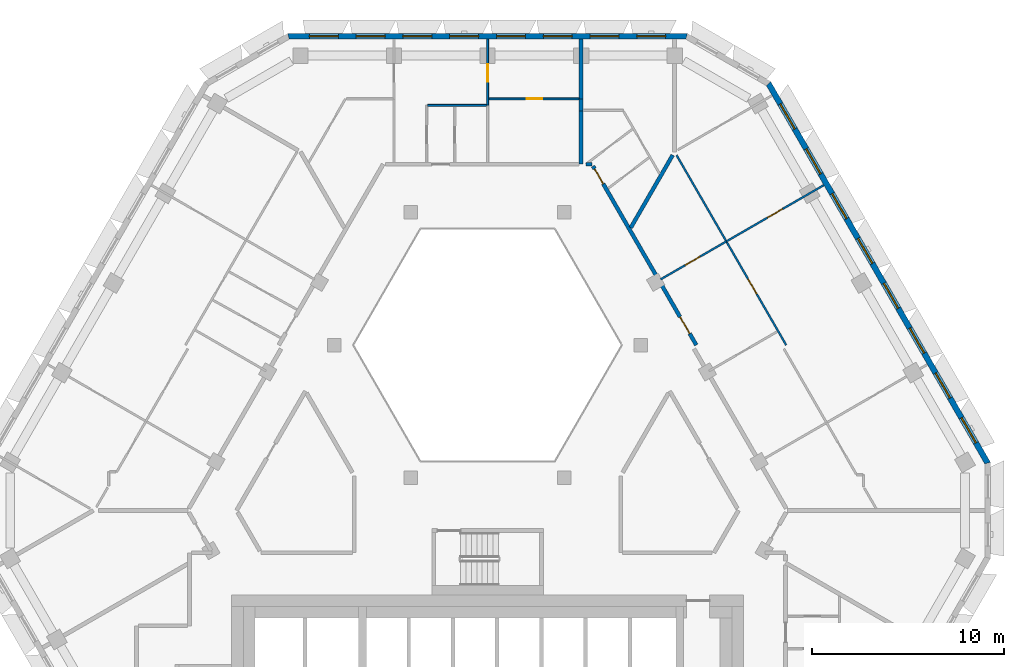
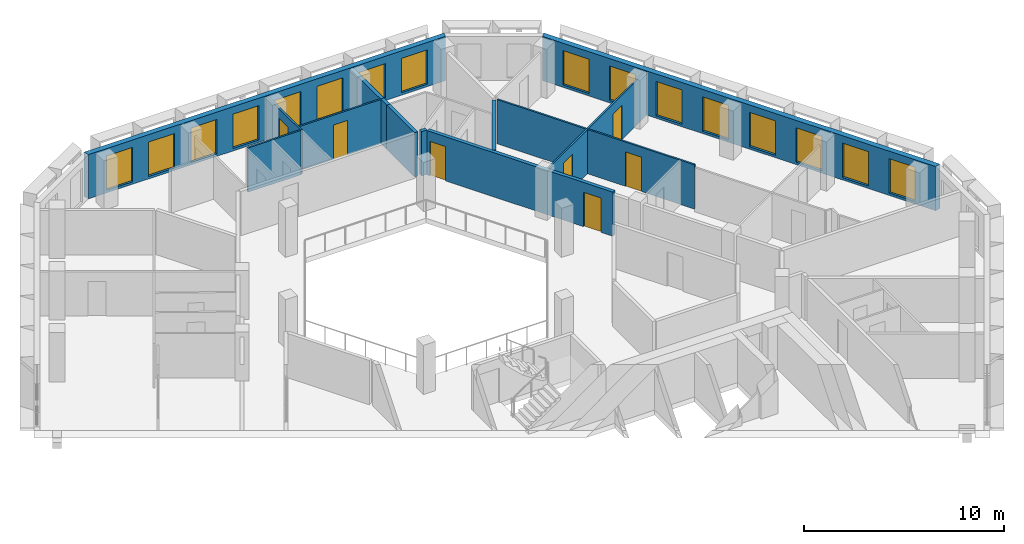
# One storey, part 8 of 17: 16 windows, 14 walls, 7 doors, 23 openings.
"""IFC4 building model written with IfcOpenShell, lengths in metres."""

import ifcopenshell
import ifcopenshell.guid

model = None  # the IFC model being written
_history = None  # IfcOwnerHistory: only IFC2X3 demands one
_inside = {}  # id of a spatial element -> (the spatial element, [elements in it])
_under = {}  # id of a project, library or spatial element -> (it, [spatial elements below it])
_declared = {}  # id of a project -> (the project, [libraries it declares])
_typed = {}  # id of a type object -> (the type object, [elements of that type])
_made_of = {}  # id of a material, layer set ... -> (it, [elements and type objects made of it])


def new_model(schema):
    """Start an empty IFC model of exactly this schema.

    Asked for "IFC4X3", IfcOpenShell would pick the latest addendum, in which some entities
    have other attributes; the version numbers below select the first issue.
    IFC2X3 requires an IfcOwnerHistory on every rooted entity: one is made here for all.
    """
    global model, _history
    if schema == "IFC4X3":
        model = ifcopenshell.file(schema_version=(4, 3, 0, 0))
    else:
        model = ifcopenshell.file(schema=schema)
    _inside.clear()
    _under.clear()
    _declared.clear()
    _typed.clear()
    _made_of.clear()
    _history = None
    if model.schema == "IFC2X3":
        org = make("IfcOrganization", Name="unknown")
        user = make(
            "IfcPersonAndOrganization",
            ThePerson=make("IfcPerson", FamilyName="unknown"),
            TheOrganization=org,
        )
        app = make(
            "IfcApplication",
            ApplicationDeveloper=org,
            Version="unknown",
            ApplicationFullName="unknown",
            ApplicationIdentifier="unknown",
        )
        _history = make(
            "IfcOwnerHistory",
            OwningUser=user,
            OwningApplication=app,
            ChangeAction="ADDED",
            CreationDate=0,
        )
    return model


def make(cls, **values):
    """One entity of the class cls with the attributes given. An attribute that is None is left unset."""
    return model.create_entity(
        cls, **{name: value for name, value in values.items() if value is not None}
    )


def rooted(cls, **values):
    """An entity with a GlobalId (a new one), such as an element, a storey or a relation."""
    return make(cls, GlobalId=ifcopenshell.guid.new(), OwnerHistory=_history, **values)


def si_unit(unit_type, name, prefix=None):
    """IfcSIUnit, for example si_unit("LENGTHUNIT", "METRE", prefix="MILLI")."""
    return make("IfcSIUnit", UnitType=unit_type, Prefix=prefix, Name=name)


def assignment(units):
    """IfcUnitAssignment: the units of a project."""
    return None if units is None else make("IfcUnitAssignment", Units=units)


def point(xyz):
    """IfcCartesianPoint."""
    return None if xyz is None else make("IfcCartesianPoint", Coordinates=xyz)


def direction(xyz):
    """IfcDirection."""
    return None if xyz is None else make("IfcDirection", DirectionRatios=xyz)


def frame(location, z_axis=None, x_axis=None):
    """IfcAxis2Placement3D, a coordinate frame: its origin and axes. An axis left out is left unset."""
    return make(
        "IfcAxis2Placement3D",
        Location=point(location),
        Axis=direction(z_axis),
        RefDirection=direction(x_axis),
    )


def frame_2d(location, x_axis=None):
    """IfcAxis2Placement2D, a coordinate frame in the plane: its origin and x axis."""
    return make(
        "IfcAxis2Placement2D", Location=point(location), RefDirection=direction(x_axis)
    )


def origin():
    """The frame at (0, 0, 0) with its axes left unset."""
    return frame((0.0, 0.0, 0.0))


def place(relative_to, where):
    """IfcLocalPlacement: puts the frame where relative to a parent placement (None: the world)."""
    return make(
        "IfcLocalPlacement", PlacementRelTo=relative_to, RelativePlacement=where
    )


def context(
    kind, dimensions, precision=None, world=None, true_north=None, identifier=None
):
    """IfcGeometricRepresentationContext, for example the 3D "Model" context."""
    return make(
        "IfcGeometricRepresentationContext",
        ContextIdentifier=identifier,
        ContextType=kind,
        CoordinateSpaceDimension=dimensions,
        Precision=precision,
        WorldCoordinateSystem=world,
        TrueNorth=true_north,
    )


def subcontext(parent, identifier, kind, view, scale=None):
    """IfcGeometricRepresentationSubContext, for example "Body" below "Model"."""
    return make(
        "IfcGeometricRepresentationSubContext",
        ContextIdentifier=identifier,
        ContextType=kind,
        ParentContext=parent,
        TargetScale=scale,
        TargetView=view,
    )


def project(units=None, contexts=None):
    """IfcProject with its units and contexts."""
    return rooted(
        "IfcProject",
        Name="project",
        RepresentationContexts=contexts,
        UnitsInContext=assignment(units),
    )


def spatial(cls, under=None, at=None, **own):
    """A site, building, storey or space (cls), placed at a placement, below another one or the project."""
    s = rooted(cls, ObjectPlacement=at, **own)
    if under is not None:
        _under.setdefault(under.id(), (under, []))[1].append(s)
    return s


def polyline(points):
    """IfcPolyline through the points."""
    return make("IfcPolyline", Points=[point(p) for p in points])


def profile(cls, at=None, kind="AREA", **sizes):
    """A parametric profile (cls). Its sizes go by their IFC names, for example OverallWidth=200.0."""
    return make(cls, ProfileType=kind, Position=at, **sizes)


def rectangle(**sizes):
    """IfcRectangleProfileDef."""
    return profile("IfcRectangleProfileDef", **sizes)


def outline(outer, holes=None, kind="AREA"):
    """IfcArbitraryClosedProfileDef: a profile drawn as a closed curve; with holes, ...WithVoids."""
    if holes is None:
        return make("IfcArbitraryClosedProfileDef", ProfileType=kind, OuterCurve=outer)
    return make(
        "IfcArbitraryProfileDefWithVoids",
        ProfileType=kind,
        OuterCurve=outer,
        InnerCurves=holes,
    )


def extrude(swept, where, along, depth):
    """IfcExtrudedAreaSolid: the profile swept, set in the frame where, extruded along a direction by depth."""
    return make(
        "IfcExtrudedAreaSolid",
        SweptArea=swept,
        Position=where,
        ExtrudedDirection=direction(along),
        Depth=depth,
    )


def shape(context_of_items, identifier, shape_type, items):
    """IfcShapeRepresentation: the items that make up one representation, for example the "Body"."""
    return make(
        "IfcShapeRepresentation",
        ContextOfItems=context_of_items,
        RepresentationIdentifier=identifier,
        RepresentationType=shape_type,
        Items=items,
    )


def material(Name=None, Category=None):
    """IfcMaterial."""
    return make("IfcMaterial", Name=Name, Category=Category)


def layer(
    of_material, thickness, ventilated=None, Name=None, Category=None, Priority=None
):
    """IfcMaterialLayer: one layer of a wall or slab, of a material (None: an air gap)."""
    return make(
        "IfcMaterialLayer",
        Material=of_material,
        LayerThickness=thickness,
        IsVentilated=ventilated,
        Name=Name,
        Category=Category,
        Priority=Priority,
    )


def layer_set(layers, Name=None):
    """IfcMaterialLayerSet."""
    return make("IfcMaterialLayerSet", MaterialLayers=layers, LayerSetName=Name)


def made_of(thing, what):
    """Note that an element or type object is made of a material, layer set ...; save() writes the relation."""
    if what is not None:
        _made_of.setdefault(what.id(), (what, []))[1].append(thing)
    return thing


def type_object(cls, material=None, **own):
    """A type object (cls), such as IfcWallType, which elements share."""
    return made_of(rooted(cls, **own), material)


def element(
    cls,
    number,
    at=None,
    inside=None,
    cuts=None,
    type_object=None,
    material=None,
    context=None,
    identifier="Body",
    shape_type=None,
    held_by="IfcProductDefinitionShape",
    body=None,
    shapes=None,
    **own,
):
    """One element of the class cls, such as IfcWall. Its Tag is "e" and its number.

    at: its placement. inside: the storey or other place that contains it. cuts: it is an
    opening in that element (IfcRelVoidsElement). A single representation is given by context,
    identifier, shape_type and body (its items); several are given by shapes. held_by: the class
    of the entity that holds the representations. save() writes the other relations.
    """
    e = rooted(cls, Tag="e%d" % number, ObjectPlacement=at, **own)
    if body is not None:
        shapes = [shape(context, identifier, shape_type, body)]
    if shapes is not None:
        e.Representation = make(held_by, Representations=shapes)
    if inside is not None:
        _inside.setdefault(inside.id(), (inside, []))[1].append(e)
    if cuts is not None:
        rooted(
            "IfcRelVoidsElement", RelatingBuildingElement=cuts, RelatedOpeningElement=e
        )
    if type_object is not None:
        _typed.setdefault(type_object.id(), (type_object, []))[1].append(e)
    return made_of(e, material)


def fill(opening, filler):
    """IfcRelFillsElement: the door or window that sits in an opening."""
    return rooted(
        "IfcRelFillsElement",
        RelatingOpeningElement=opening,
        RelatedBuildingElement=filler,
    )


def aggregate(whole, parts):
    """IfcRelAggregates: a whole, such as a stair, and the parts it consists of."""
    return rooted("IfcRelAggregates", RelatingObject=whole, RelatedObjects=parts)


def save(model, path):
    """Write the relations noted so far, then the file.

    IfcRelAggregates (storeys below a building ...), IfcRelContainedInSpatialStructure (elements
    in a storey), IfcRelDefinesByType, IfcRelAssociatesMaterial and IfcRelDeclares: one each for
    every whole, place, type object, material and project.
    """
    for whole, parts in _under.values():
        aggregate(whole, parts)
    for where, things in _inside.values():
        rooted(
            "IfcRelContainedInSpatialStructure",
            RelatedElements=things,
            RelatingStructure=where,
        )
    for kind, things in _typed.values():
        rooted("IfcRelDefinesByType", RelatedObjects=things, RelatingType=kind)
    for what, things in _made_of.values():
        rooted("IfcRelAssociatesMaterial", RelatedObjects=things, RelatingMaterial=what)
    for by, libraries in _declared.values():
        rooted("IfcRelDeclares", RelatingContext=by, RelatedDefinitions=libraries)
    model.write(path)


model = new_model("IFC4")

# Units and contexts
model_context = context("Model", 3, precision=1e-05, world=origin(), true_north=direction((0.0, 1.0)))
body_context = subcontext(model_context, "Body", "Model", "MODEL_VIEW")
ifc_project = project(units=[si_unit("LENGTHUNIT", "METRE"), si_unit("AREAUNIT", "SQUARE_METRE"), si_unit("VOLUMEUNIT", "CUBIC_METRE"), si_unit("PLANEANGLEUNIT", "RADIAN"), si_unit("MASSUNIT", "GRAM", prefix="KILO")], contexts=[model_context])

# Site, building, storey
site_placement = place(None, origin())
site = spatial("IfcSite", under=ifc_project, at=site_placement, CompositionType="ELEMENT")
building_placement = place(site_placement, origin())
building = spatial("IfcBuilding", under=site, at=building_placement, Name="Beryl Residences", CompositionType="ELEMENT")
storey_placement = place(building_placement, frame((0.0, 0.0, 166.199951171875)))
storey = spatial("IfcBuildingStorey", under=building, at=storey_placement, Name="L50", CompositionType="ELEMENT", Elevation=166.199951171875)

# Wall, openings, windows
ifc_material_1 = material(Name="Composite metal panel with mineral wool insulation")
ifc_layer_1 = layer(ifc_material_1, 0.300048828125)
ifc_layer_set_1 = layer_set([ifc_layer_1], Name="ES1 pale metal composite panel wall 300 mm")
wall_type_1 = type_object("IfcWallType", Name="ES1 pale metal composite panel wall 300 mm", PredefinedType="SOLIDWALL", material=ifc_layer_set_1)
wall_1_placement = place(storey_placement, frame((10.39208984375, 24.050048828125, 0.0), z_axis=(0.0, 0.0, 1.0), x_axis=(-1.0, 0.0, 0.0)))
wall_1 = element("IfcWall", 1, at=wall_1_placement, inside=storey, type_object=wall_type_1, Name="ES1 external wall L50 N", PredefinedType="SOLIDWALL", context=body_context, shape_type="SweptSolid", body=[
    extrude(outline(polyline([(0.0, -0.14990234375), (20.7841796875, -0.14990234375), (20.703857421875, 0.14990234375), (0.080322265625, 0.14990234375), (0.0, -0.14990234375)])), origin(), (0.0, 0.0, 1.0), 2.699951171875),
])
opening_1_placement = place(wall_1_placement, frame((1.1298828125, 0.0, 0.14990234375)))
opening_1 = element("IfcOpeningElement", 2, at=opening_1_placement, cuts=wall_1, Name="Opening W1", PredefinedType="OPENING", context=body_context, shape_type="SweptSolid", body=[
    extrude(rectangle(XDim=1.5, YDim=2.10009765625, at=frame_2d((0.75, 1.050048828125))), frame((0.0, 0.159912109375, 0.0), z_axis=(0.0, -1.0, 0.0), x_axis=(1.0, 0.0, 0.0)), (0.0, 0.0, 1.0), 0.320068359375),
])
opening_2_placement = place(wall_1_placement, frame((3.56201171875, 0.0, 0.14990234375)))
opening_2 = element("IfcOpeningElement", 3, at=opening_2_placement, cuts=wall_1, Name="Opening W1", PredefinedType="OPENING", context=body_context, shape_type="SweptSolid", body=[
    extrude(rectangle(XDim=1.5, YDim=2.10009765625, at=frame_2d((0.75, 1.050048828125))), frame((0.0, 0.159912109375, 0.0), z_axis=(0.0, -1.0, 0.0), x_axis=(1.0, 0.0, 0.0)), (0.0, 0.0, 1.0), 0.320068359375),
])
opening_3_placement = place(wall_1_placement, frame((5.993896484375, 0.0, 0.14990234375)))
opening_3 = element("IfcOpeningElement", 4, at=opening_3_placement, cuts=wall_1, Name="Opening W1", PredefinedType="OPENING", context=body_context, shape_type="SweptSolid", body=[
    extrude(rectangle(XDim=1.5, YDim=2.10009765625, at=frame_2d((0.75, 1.050048828125))), frame((0.0, 0.159912109375, 0.0), z_axis=(0.0, -1.0, 0.0), x_axis=(1.0, 0.0, 0.0)), (0.0, 0.0, 1.0), 0.320068359375),
])
opening_4_placement = place(wall_1_placement, frame((8.426025390625, 0.0, 0.14990234375)))
opening_4 = element("IfcOpeningElement", 5, at=opening_4_placement, cuts=wall_1, Name="Opening W1", PredefinedType="OPENING", context=body_context, shape_type="SweptSolid", body=[
    extrude(rectangle(XDim=1.5, YDim=2.10009765625, at=frame_2d((0.75, 1.050048828125))), frame((0.0, 0.159912109375, 0.0), z_axis=(0.0, -1.0, 0.0), x_axis=(1.0, 0.0, 0.0)), (0.0, 0.0, 1.0), 0.320068359375),
])
opening_5_placement = place(wall_1_placement, frame((10.85791015625, 0.0, 0.14990234375)))
opening_5 = element("IfcOpeningElement", 6, at=opening_5_placement, cuts=wall_1, Name="Opening W1", PredefinedType="OPENING", context=body_context, shape_type="SweptSolid", body=[
    extrude(rectangle(XDim=1.5, YDim=2.10009765625, at=frame_2d((0.75, 1.050048828125))), frame((0.0, 0.159912109375, 0.0), z_axis=(0.0, -1.0, 0.0), x_axis=(1.0, 0.0, 0.0)), (0.0, 0.0, 1.0), 0.320068359375),
])
opening_6_placement = place(wall_1_placement, frame((13.2900390625, 0.0, 0.14990234375)))
opening_6 = element("IfcOpeningElement", 7, at=opening_6_placement, cuts=wall_1, Name="Opening W1", PredefinedType="OPENING", context=body_context, shape_type="SweptSolid", body=[
    extrude(rectangle(XDim=1.5, YDim=2.10009765625, at=frame_2d((0.75, 1.050048828125))), frame((0.0, 0.159912109375, 0.0), z_axis=(0.0, -1.0, 0.0), x_axis=(1.0, 0.0, 0.0)), (0.0, 0.0, 1.0), 0.320068359375),
])
opening_7_placement = place(wall_1_placement, frame((15.721923828125, 0.0, 0.14990234375)))
opening_7 = element("IfcOpeningElement", 8, at=opening_7_placement, cuts=wall_1, Name="Opening W1", PredefinedType="OPENING", context=body_context, shape_type="SweptSolid", body=[
    extrude(rectangle(XDim=1.5, YDim=2.10009765625, at=frame_2d((0.75, 1.050048828125))), frame((0.0, 0.159912109375, 0.0), z_axis=(0.0, -1.0, 0.0), x_axis=(1.0, 0.0, 0.0)), (0.0, 0.0, 1.0), 0.320068359375),
])
opening_8_placement = place(wall_1_placement, frame((18.154052734375, 0.0, 0.14990234375)))
opening_8 = element("IfcOpeningElement", 9, at=opening_8_placement, cuts=wall_1, Name="Opening W1", PredefinedType="OPENING", context=body_context, shape_type="SweptSolid", body=[
    extrude(rectangle(XDim=1.5, YDim=2.10009765625, at=frame_2d((0.75, 1.050048828125))), frame((0.0, 0.159912109375, 0.0), z_axis=(0.0, -1.0, 0.0), x_axis=(1.0, 0.0, 0.0)), (0.0, 0.0, 1.0), 0.320068359375),
])
ifc_material_2 = material(Name="Aluminium and clear glass", Category="aluminium")
window_type = type_object("IfcWindowType", Name="W1 cell window 1500 x 2100 mm", PartitioningType="SINGLE_PANEL", PredefinedType="WINDOW", material=ifc_material_2)
window_1_placement = place(opening_1_placement, origin())
window_1 = element("IfcWindow", 10, at=window_1_placement, inside=storey, type_object=window_type, Name="W1 window L50 N 1", OverallHeight=2.10009765625, OverallWidth=1.5, PartitioningType="SINGLE_PANEL", PredefinedType="WINDOW", context=body_context, shape_type="SweptSolid", body=[
    extrude(rectangle(XDim=1.5, YDim=2.10009765625, at=frame_2d((0.75, 1.050048828125))), frame((0.0, 0.030029296875, 0.0), z_axis=(0.0, -1.0, 0.0), x_axis=(1.0, 0.0, 0.0)), (0.0, 0.0, 1.0), 0.06005859375),
])
fill(opening_1, window_1)
window_2_placement = place(opening_2_placement, origin())
window_2 = element("IfcWindow", 11, at=window_2_placement, inside=storey, type_object=window_type, Name="W1 window L50 N 2", OverallHeight=2.10009765625, OverallWidth=1.5, PartitioningType="SINGLE_PANEL", PredefinedType="WINDOW", context=body_context, shape_type="SweptSolid", body=[
    extrude(rectangle(XDim=1.5, YDim=2.10009765625, at=frame_2d((0.75, 1.050048828125))), frame((0.0, 0.030029296875, 0.0), z_axis=(0.0, -1.0, 0.0), x_axis=(1.0, 0.0, 0.0)), (0.0, 0.0, 1.0), 0.06005859375),
])
fill(opening_2, window_2)
window_3_placement = place(opening_3_placement, origin())
window_3 = element("IfcWindow", 12, at=window_3_placement, inside=storey, type_object=window_type, Name="W1 window L50 N 3", OverallHeight=2.10009765625, OverallWidth=1.5, PartitioningType="SINGLE_PANEL", PredefinedType="WINDOW", context=body_context, shape_type="SweptSolid", body=[
    extrude(rectangle(XDim=1.5, YDim=2.10009765625, at=frame_2d((0.75, 1.050048828125))), frame((0.0, 0.030029296875, 0.0), z_axis=(0.0, -1.0, 0.0), x_axis=(1.0, 0.0, 0.0)), (0.0, 0.0, 1.0), 0.06005859375),
])
fill(opening_3, window_3)
window_4_placement = place(opening_4_placement, origin())
window_4 = element("IfcWindow", 13, at=window_4_placement, inside=storey, type_object=window_type, Name="W1 window L50 N 4", OverallHeight=2.10009765625, OverallWidth=1.5, PartitioningType="SINGLE_PANEL", PredefinedType="WINDOW", context=body_context, shape_type="SweptSolid", body=[
    extrude(rectangle(XDim=1.5, YDim=2.10009765625, at=frame_2d((0.75, 1.050048828125))), frame((0.0, 0.030029296875, 0.0), z_axis=(0.0, -1.0, 0.0), x_axis=(1.0, 0.0, 0.0)), (0.0, 0.0, 1.0), 0.06005859375),
])
fill(opening_4, window_4)
window_5_placement = place(opening_5_placement, origin())
window_5 = element("IfcWindow", 14, at=window_5_placement, inside=storey, type_object=window_type, Name="W1 window L50 N 5", OverallHeight=2.10009765625, OverallWidth=1.5, PartitioningType="SINGLE_PANEL", PredefinedType="WINDOW", context=body_context, shape_type="SweptSolid", body=[
    extrude(rectangle(XDim=1.5, YDim=2.10009765625, at=frame_2d((0.75, 1.050048828125))), frame((0.0, 0.030029296875, 0.0), z_axis=(0.0, -1.0, 0.0), x_axis=(1.0, 0.0, 0.0)), (0.0, 0.0, 1.0), 0.06005859375),
])
fill(opening_5, window_5)
window_6_placement = place(opening_6_placement, origin())
window_6 = element("IfcWindow", 15, at=window_6_placement, inside=storey, type_object=window_type, Name="W1 window L50 N 6", OverallHeight=2.10009765625, OverallWidth=1.5, PartitioningType="SINGLE_PANEL", PredefinedType="WINDOW", context=body_context, shape_type="SweptSolid", body=[
    extrude(rectangle(XDim=1.5, YDim=2.10009765625, at=frame_2d((0.75, 1.050048828125))), frame((0.0, 0.030029296875, 0.0), z_axis=(0.0, -1.0, 0.0), x_axis=(1.0, 0.0, 0.0)), (0.0, 0.0, 1.0), 0.06005859375),
])
fill(opening_6, window_6)
window_7_placement = place(opening_7_placement, origin())
window_7 = element("IfcWindow", 16, at=window_7_placement, inside=storey, type_object=window_type, Name="W1 window L50 N 7", OverallHeight=2.10009765625, OverallWidth=1.5, PartitioningType="SINGLE_PANEL", PredefinedType="WINDOW", context=body_context, shape_type="SweptSolid", body=[
    extrude(rectangle(XDim=1.5, YDim=2.10009765625, at=frame_2d((0.75, 1.050048828125))), frame((0.0, 0.030029296875, 0.0), z_axis=(0.0, -1.0, 0.0), x_axis=(1.0, 0.0, 0.0)), (0.0, 0.0, 1.0), 0.06005859375),
])
fill(opening_7, window_7)
window_8_placement = place(opening_8_placement, origin())
window_8 = element("IfcWindow", 17, at=window_8_placement, inside=storey, type_object=window_type, Name="W1 window L50 N 8", OverallHeight=2.10009765625, OverallWidth=1.5, PartitioningType="SINGLE_PANEL", PredefinedType="WINDOW", context=body_context, shape_type="SweptSolid", body=[
    extrude(rectangle(XDim=1.5, YDim=2.10009765625, at=frame_2d((0.75, 1.050048828125))), frame((0.0, 0.030029296875, 0.0), z_axis=(0.0, -1.0, 0.0), x_axis=(1.0, 0.0, 0.0)), (0.0, 0.0, 1.0), 0.06005859375),
])
fill(opening_8, window_8)

wall_2_placement = place(storey_placement, frame((26.02392578125, 1.824951171875, 0.0), z_axis=(0.0, 0.0, 1.0), x_axis=(-0.500010537973, 0.866019319597, 0.0)))
wall_2 = element("IfcWall", 18, at=wall_2_placement, inside=storey, type_object=wall_type_1, Name="ES1 external wall L50 NE", PredefinedType="SOLIDWALL", context=body_context, shape_type="SweptSolid", body=[
    extrude(outline(polyline([(0.0, -0.14990234375), (22.86328125, -0.14990234375), (22.782958984375, 0.14990234375), (0.080322265625, 0.14990234375), (0.0, -0.14990234375)])), origin(), (0.0, 0.0, 1.0), 2.699951171875),
])
opening_9_placement = place(wall_2_placement, frame((1.259033203125, 0.0, 0.14990234375)))
opening_9 = element("IfcOpeningElement", 19, at=opening_9_placement, cuts=wall_2, Name="Opening W1", PredefinedType="OPENING", context=body_context, shape_type="SweptSolid", body=[
    extrude(rectangle(XDim=1.5, YDim=2.10009765625, at=frame_2d((0.75, 1.050048828125))), frame((0.0, 0.159912109375, 0.0), z_axis=(0.0, -1.0, 0.0), x_axis=(1.0, 0.0, 0.0)), (0.0, 0.0, 1.0), 0.320068359375),
])
opening_10_placement = place(wall_2_placement, frame((3.951904296875, 0.0, 0.14990234375)))
opening_10 = element("IfcOpeningElement", 20, at=opening_10_placement, cuts=wall_2, Name="Opening W1", PredefinedType="OPENING", context=body_context, shape_type="SweptSolid", body=[
    extrude(rectangle(XDim=1.5, YDim=2.10009765625, at=frame_2d((0.75, 1.050048828125))), frame((0.0, 0.159912109375, 0.0), z_axis=(0.0, -1.0, 0.0), x_axis=(1.0, 0.0, 0.0)), (0.0, 0.0, 1.0), 0.320068359375),
])
opening_11_placement = place(wall_2_placement, frame((6.64404296875, 0.0, 0.14990234375)))
opening_11 = element("IfcOpeningElement", 21, at=opening_11_placement, cuts=wall_2, Name="Opening W1", PredefinedType="OPENING", context=body_context, shape_type="SweptSolid", body=[
    extrude(rectangle(XDim=1.5, YDim=2.10009765625, at=frame_2d((0.75, 1.050048828125))), frame((0.0, 0.159912109375, 0.0), z_axis=(0.0, -1.0, 0.0), x_axis=(1.0, 0.0, 0.0)), (0.0, 0.0, 1.0), 0.320068359375),
])
opening_12_placement = place(wall_2_placement, frame((9.3349609375, 0.0, 0.14990234375)))
opening_12 = element("IfcOpeningElement", 22, at=opening_12_placement, cuts=wall_2, Name="Opening W1", PredefinedType="OPENING", context=body_context, shape_type="SweptSolid", body=[
    extrude(rectangle(XDim=1.5, YDim=2.10009765625, at=frame_2d((0.75, 1.050048828125))), frame((0.0, 0.159912109375, 0.0), z_axis=(0.0, -1.0, 0.0), x_axis=(1.0, 0.0, 0.0)), (0.0, 0.0, 1.0), 0.320068359375),
])
opening_13_placement = place(wall_2_placement, frame((12.028076171875, 0.0, 0.14990234375)))
opening_13 = element("IfcOpeningElement", 23, at=opening_13_placement, cuts=wall_2, Name="Opening W1", PredefinedType="OPENING", context=body_context, shape_type="SweptSolid", body=[
    extrude(rectangle(XDim=1.5, YDim=2.10009765625, at=frame_2d((0.75, 1.050048828125))), frame((0.0, 0.159912109375, 0.0), z_axis=(0.0, -1.0, 0.0), x_axis=(1.0, 0.0, 0.0)), (0.0, 0.0, 1.0), 0.320068359375),
])
opening_14_placement = place(wall_2_placement, frame((14.719970703125, 0.0, 0.14990234375)))
opening_14 = element("IfcOpeningElement", 24, at=opening_14_placement, cuts=wall_2, Name="Opening W1", PredefinedType="OPENING", context=body_context, shape_type="SweptSolid", body=[
    extrude(rectangle(XDim=1.5, YDim=2.10009765625, at=frame_2d((0.75, 1.050048828125))), frame((0.0, 0.159912109375, 0.0), z_axis=(0.0, -1.0, 0.0), x_axis=(1.0, 0.0, 0.0)), (0.0, 0.0, 1.0), 0.320068359375),
])
opening_15_placement = place(wall_2_placement, frame((17.410888671875, 0.0, 0.14990234375)))
opening_15 = element("IfcOpeningElement", 25, at=opening_15_placement, cuts=wall_2, Name="Opening W1", PredefinedType="OPENING", context=body_context, shape_type="SweptSolid", body=[
    extrude(rectangle(XDim=1.5, YDim=2.10009765625, at=frame_2d((0.75, 1.050048828125))), frame((0.0, 0.159912109375, 0.0), z_axis=(0.0, -1.0, 0.0), x_axis=(1.0, 0.0, 0.0)), (0.0, 0.0, 1.0), 0.320068359375),
])
opening_16_placement = place(wall_2_placement, frame((20.10400390625, 0.0, 0.14990234375)))
opening_16 = element("IfcOpeningElement", 26, at=opening_16_placement, cuts=wall_2, Name="Opening W1", PredefinedType="OPENING", context=body_context, shape_type="SweptSolid", body=[
    extrude(rectangle(XDim=1.5, YDim=2.10009765625, at=frame_2d((0.75, 1.050048828125))), frame((0.0, 0.159912109375, 0.0), z_axis=(0.0, -1.0, 0.0), x_axis=(1.0, 0.0, 0.0)), (0.0, 0.0, 1.0), 0.320068359375),
])
window_9_placement = place(opening_9_placement, origin())
window_9 = element("IfcWindow", 27, at=window_9_placement, inside=storey, type_object=window_type, Name="W1 window L50 NE 1", OverallHeight=2.10009765625, OverallWidth=1.5, PartitioningType="SINGLE_PANEL", PredefinedType="WINDOW", context=body_context, shape_type="SweptSolid", body=[
    extrude(rectangle(XDim=1.5, YDim=2.10009765625, at=frame_2d((0.75, 1.050048828125))), frame((0.0, 0.030029296875, 0.0), z_axis=(0.0, -1.0, 0.0), x_axis=(1.0, 0.0, 0.0)), (0.0, 0.0, 1.0), 0.06005859375),
])
fill(opening_9, window_9)
window_10_placement = place(opening_10_placement, origin())
window_10 = element("IfcWindow", 28, at=window_10_placement, inside=storey, type_object=window_type, Name="W1 window L50 NE 2", OverallHeight=2.10009765625, OverallWidth=1.5, PartitioningType="SINGLE_PANEL", PredefinedType="WINDOW", context=body_context, shape_type="SweptSolid", body=[
    extrude(rectangle(XDim=1.5, YDim=2.10009765625, at=frame_2d((0.75, 1.050048828125))), frame((0.0, 0.030029296875, 0.0), z_axis=(0.0, -1.0, 0.0), x_axis=(1.0, 0.0, 0.0)), (0.0, 0.0, 1.0), 0.06005859375),
])
fill(opening_10, window_10)
window_11_placement = place(opening_11_placement, origin())
window_11 = element("IfcWindow", 29, at=window_11_placement, inside=storey, type_object=window_type, Name="W1 window L50 NE 3", OverallHeight=2.10009765625, OverallWidth=1.5, PartitioningType="SINGLE_PANEL", PredefinedType="WINDOW", context=body_context, shape_type="SweptSolid", body=[
    extrude(rectangle(XDim=1.5, YDim=2.10009765625, at=frame_2d((0.75, 1.050048828125))), frame((0.0, 0.030029296875, 0.0), z_axis=(0.0, -1.0, 0.0), x_axis=(1.0, 0.0, 0.0)), (0.0, 0.0, 1.0), 0.06005859375),
])
fill(opening_11, window_11)
window_12_placement = place(opening_12_placement, origin())
window_12 = element("IfcWindow", 30, at=window_12_placement, inside=storey, type_object=window_type, Name="W1 window L50 NE 4", OverallHeight=2.10009765625, OverallWidth=1.5, PartitioningType="SINGLE_PANEL", PredefinedType="WINDOW", context=body_context, shape_type="SweptSolid", body=[
    extrude(rectangle(XDim=1.5, YDim=2.10009765625, at=frame_2d((0.75, 1.050048828125))), frame((0.0, 0.030029296875, 0.0), z_axis=(0.0, -1.0, 0.0), x_axis=(1.0, 0.0, 0.0)), (0.0, 0.0, 1.0), 0.06005859375),
])
fill(opening_12, window_12)
window_13_placement = place(opening_13_placement, origin())
window_13 = element("IfcWindow", 31, at=window_13_placement, inside=storey, type_object=window_type, Name="W1 window L50 NE 5", OverallHeight=2.10009765625, OverallWidth=1.5, PartitioningType="SINGLE_PANEL", PredefinedType="WINDOW", context=body_context, shape_type="SweptSolid", body=[
    extrude(rectangle(XDim=1.5, YDim=2.10009765625, at=frame_2d((0.75, 1.050048828125))), frame((0.0, 0.030029296875, 0.0), z_axis=(0.0, -1.0, 0.0), x_axis=(1.0, 0.0, 0.0)), (0.0, 0.0, 1.0), 0.06005859375),
])
fill(opening_13, window_13)
window_14_placement = place(opening_14_placement, origin())
window_14 = element("IfcWindow", 32, at=window_14_placement, inside=storey, type_object=window_type, Name="W1 window L50 NE 6", OverallHeight=2.10009765625, OverallWidth=1.5, PartitioningType="SINGLE_PANEL", PredefinedType="WINDOW", context=body_context, shape_type="SweptSolid", body=[
    extrude(rectangle(XDim=1.5, YDim=2.10009765625, at=frame_2d((0.75, 1.050048828125))), frame((0.0, 0.030029296875, 0.0), z_axis=(0.0, -1.0, 0.0), x_axis=(1.0, 0.0, 0.0)), (0.0, 0.0, 1.0), 0.06005859375),
])
fill(opening_14, window_14)
window_15_placement = place(opening_15_placement, origin())
window_15 = element("IfcWindow", 33, at=window_15_placement, inside=storey, type_object=window_type, Name="W1 window L50 NE 7", OverallHeight=2.10009765625, OverallWidth=1.5, PartitioningType="SINGLE_PANEL", PredefinedType="WINDOW", context=body_context, shape_type="SweptSolid", body=[
    extrude(rectangle(XDim=1.5, YDim=2.10009765625, at=frame_2d((0.75, 1.050048828125))), frame((0.0, 0.030029296875, 0.0), z_axis=(0.0, -1.0, 0.0), x_axis=(1.0, 0.0, 0.0)), (0.0, 0.0, 1.0), 0.06005859375),
])
fill(opening_15, window_15)
window_16_placement = place(opening_16_placement, origin())
window_16 = element("IfcWindow", 34, at=window_16_placement, inside=storey, type_object=window_type, Name="W1 window L50 NE 8", OverallHeight=2.10009765625, OverallWidth=1.5, PartitioningType="SINGLE_PANEL", PredefinedType="WINDOW", context=body_context, shape_type="SweptSolid", body=[
    extrude(rectangle(XDim=1.5, YDim=2.10009765625, at=frame_2d((0.75, 1.050048828125))), frame((0.0, 0.030029296875, 0.0), z_axis=(0.0, -1.0, 0.0), x_axis=(1.0, 0.0, 0.0)), (0.0, 0.0, 1.0), 0.06005859375),
])
fill(opening_16, window_16)

# Wall, opening, door
ifc_material_3 = material(Name="Gypsum board partition on steel studs", Category="steel")
ifc_layer_2 = layer(ifc_material_3, 0.10009765625)
ifc_layer_set_2 = layer_set([ifc_layer_2], Name="PT1 partition 100 mm gypsum board on steel studs")
wall_type_2 = type_object("IfcWallType", Name="PT1 partition 100 mm gypsum board on steel studs", PredefinedType="PARTITIONING", material=ifc_layer_set_2)
wall_3_placement = place(storey_placement, frame((9.826904296875, 17.8740234375, 0.0), z_axis=(0.0, 0.0, 1.0), x_axis=(0.499962189394, -0.866047232647, 0.0)))
wall_3 = element("IfcWall", 35, at=wall_3_placement, inside=storey, type_object=wall_type_2, Name="Wall PT1 L50 004", PredefinedType="PARTITIONING", context=body_context, shape_type="SweptSolid", body=[
    extrude(rectangle(XDim=11.4013671875, YDim=0.10009765625, at=frame_2d((5.70068359375, 0.0))), origin(), (0.0, 0.0, 1.0), 2.699951171875),
])
opening_17_placement = place(wall_3_placement, frame((7.43310546875, 0.0, 0.0)))
opening_17 = element("IfcOpeningElement", 36, at=opening_17_placement, cuts=wall_3, Name="Opening D1427", PredefinedType="OPENING", context=body_context, shape_type="SweptSolid", body=[
    extrude(rectangle(XDim=0.89990234375, YDim=2.10009765625, at=frame_2d((0.449951171875, 1.050048828125))), frame((0.0, 0.06005859375, 0.0), z_axis=(0.0, -1.0, 0.0), x_axis=(1.0, 0.0, 0.0)), (0.0, 0.0, 1.0), 0.1201171875),
])
ifc_material_4 = material(Name="Timber door leaf", Category="wood")
door_type_1 = type_object("IfcDoorType", Name="D2 room door 900 x 2100 mm", OperationType="SINGLE_SWING_LEFT", PredefinedType="DOOR", material=ifc_material_4)
door_1_placement = place(opening_17_placement, origin())
door_1 = element("IfcDoor", 37, at=door_1_placement, inside=storey, type_object=door_type_1, Name="Door D1427 L50 001", OperationType="SINGLE_SWING_LEFT", OverallHeight=2.10009765625, OverallWidth=0.89990234375, PredefinedType="DOOR", context=body_context, shape_type="SweptSolid", body=[
    extrude(rectangle(XDim=0.89990234375, YDim=2.10009765625, at=frame_2d((0.449951171875, 1.050048828125))), frame((0.0, 0.02490234375, 0.0), z_axis=(0.0, -1.0, 0.0), x_axis=(1.0, 0.0, 0.0)), (0.0, 0.0, 1.0), 0.050048828125),
])
fill(opening_17, door_1)

# Wall
wall_4_placement = place(storey_placement, frame((-3.111083984375, 20.4599609375, 0.0), z_axis=(0.0, 0.0, 1.0), x_axis=(1.0, 0.0, 0.0)))
element("IfcWall", 38, at=wall_4_placement, inside=storey, type_object=wall_type_2, Name="Wall PT1 L50 018", PredefinedType="PARTITIONING", context=body_context, shape_type="SweptSolid", body=[
    extrude(rectangle(XDim=3.06103515625, YDim=0.10009765625, at=frame_2d((1.530517578125, 0.0))), origin(), (0.0, 0.0, 1.0), 2.699951171875),
])

# Wall, opening, door
wall_5_placement = place(storey_placement, frame((0.050048828125, 20.799072265625, 0.0), z_axis=(0.0, 0.0, 1.0), x_axis=(1.0, 0.0, 0.0)))
wall_5 = element("IfcWall", 39, at=wall_5_placement, inside=storey, type_object=wall_type_2, Name="Wall PT1 L50 020", PredefinedType="PARTITIONING", context=body_context, shape_type="SweptSolid", body=[
    extrude(rectangle(XDim=4.7138671875, YDim=0.10009765625, at=frame_2d((2.35693359375, 0.0))), origin(), (0.0, 0.0, 1.0), 2.699951171875),
])
opening_18_placement = place(wall_5_placement, frame((1.98193359375, 0.0, 0.0)))
opening_18 = element("IfcOpeningElement", 40, at=opening_18_placement, cuts=wall_5, Name="Opening D1406", PredefinedType="OPENING", context=body_context, shape_type="SweptSolid", body=[
    extrude(rectangle(XDim=0.800048828125, YDim=2.10009765625, at=frame_2d((0.39990234375, 1.050048828125))), frame((0.0, 0.06005859375, 0.0), z_axis=(0.0, -1.0, 0.0), x_axis=(1.0, 0.0, 0.0)), (0.0, 0.0, 1.0), 0.1201171875),
])
ifc_material_5 = material(Name="Timber door leaf", Category="wood")
door_type_2 = type_object("IfcDoorType", Name="D3 bathroom door 800 x 2100 mm", OperationType="SINGLE_SWING_LEFT", PredefinedType="DOOR", material=ifc_material_5)
door_2_placement = place(opening_18_placement, origin())
door_2 = element("IfcDoor", 41, at=door_2_placement, inside=storey, type_object=door_type_2, Name="Door D1406 L50 001", OperationType="SINGLE_SWING_RIGHT", OverallHeight=2.10009765625, OverallWidth=0.800048828125, PredefinedType="DOOR", context=body_context, shape_type="SweptSolid", body=[
    extrude(rectangle(XDim=0.800048828125, YDim=2.10009765625, at=frame_2d((0.39990234375, 1.050048828125))), frame((0.0, 0.02490234375, 0.0), z_axis=(0.0, -1.0, 0.0), x_axis=(1.0, 0.0, 0.0)), (0.0, 0.0, 1.0), 0.050048828125),
])
fill(opening_18, door_2)

wall_6_placement = place(storey_placement, frame((0.0, 20.43994140625, 0.0), z_axis=(0.0, 0.0, 1.0), x_axis=(0.0, 1.0, 0.0)))
wall_6 = element("IfcWall", 42, at=wall_6_placement, inside=storey, type_object=wall_type_2, Name="Wall PT1 L50 027", PredefinedType="PARTITIONING", context=body_context, shape_type="SweptSolid", body=[
    extrude(rectangle(XDim=3.4599609375, YDim=0.10009765625, at=frame_2d((1.72998046875, 0.0))), origin(), (0.0, 0.0, 1.0), 2.699951171875),
])
opening_19_placement = place(wall_6_placement, frame((1.260009765625, 0.0, 0.0)))
opening_19 = element("IfcOpeningElement", 43, at=opening_19_placement, cuts=wall_6, Name="Opening D1405", PredefinedType="OPENING", context=body_context, shape_type="SweptSolid", body=[
    extrude(rectangle(XDim=0.89990234375, YDim=2.10009765625, at=frame_2d((0.449951171875, 1.050048828125))), frame((0.0, 0.06005859375, 0.0), z_axis=(0.0, -1.0, 0.0), x_axis=(1.0, 0.0, 0.0)), (0.0, 0.0, 1.0), 0.1201171875),
])
door_3_placement = place(opening_19_placement, origin())
door_3 = element("IfcDoor", 44, at=door_3_placement, inside=storey, type_object=door_type_1, Name="Door D1405 L50 001", OperationType="SINGLE_SWING_LEFT", OverallHeight=2.10009765625, OverallWidth=0.89990234375, PredefinedType="DOOR", context=body_context, shape_type="SweptSolid", body=[
    extrude(rectangle(XDim=0.89990234375, YDim=2.10009765625, at=frame_2d((0.449951171875, 1.050048828125))), frame((0.0, 0.02490234375, 0.0), z_axis=(0.0, -1.0, 0.0), x_axis=(1.0, 0.0, 0.0)), (0.0, 0.0, 1.0), 0.050048828125),
])
fill(opening_19, door_3)

wall_7_placement = place(storey_placement, frame((8.9990234375, 11.4130859375, 0.0), z_axis=(0.0, 0.0, 1.0), x_axis=(0.865969252911, 0.500097243556, 0.0)))
wall_7 = element("IfcWall", 45, at=wall_7_placement, inside=storey, type_object=wall_type_2, Name="Wall PT1 L50 034", PredefinedType="PARTITIONING", context=body_context, shape_type="SweptSolid", body=[
    extrude(rectangle(XDim=3.947021484375, YDim=0.10009765625, at=frame_2d((1.9736328125, 0.0))), origin(), (0.0, 0.0, 1.0), 2.699951171875),
])
opening_20_placement = place(wall_7_placement, frame((1.47412109375, 0.0, 0.0)))
opening_20 = element("IfcOpeningElement", 46, at=opening_20_placement, cuts=wall_7, Name="Opening D1429", PredefinedType="OPENING", context=body_context, shape_type="SweptSolid", body=[
    extrude(rectangle(XDim=0.89990234375, YDim=2.10009765625, at=frame_2d((0.449951171875, 1.050048828125))), frame((0.0, 0.06005859375, 0.0), z_axis=(0.0, -1.0, 0.0), x_axis=(1.0, 0.0, 0.0)), (0.0, 0.0, 1.0), 0.1201171875),
])
door_4_placement = place(opening_20_placement, origin())
door_4 = element("IfcDoor", 47, at=door_4_placement, inside=storey, type_object=door_type_1, Name="Door D1429 L50 001", OperationType="SINGLE_SWING_LEFT", OverallHeight=2.10009765625, OverallWidth=0.89990234375, PredefinedType="DOOR", context=body_context, shape_type="SweptSolid", body=[
    extrude(rectangle(XDim=0.89990234375, YDim=2.10009765625, at=frame_2d((0.449951171875, 1.050048828125))), frame((0.0, 0.02490234375, 0.0), z_axis=(0.0, -1.0, 0.0), x_axis=(1.0, 0.0, 0.0)), (0.0, 0.0, 1.0), 0.050048828125),
])
fill(opening_20, door_4)

wall_8_placement = place(storey_placement, frame((12.4169921875, 13.386962890625, 0.0), z_axis=(0.0, 0.0, 1.0), x_axis=(0.866070981966, 0.499921047963, 0.0)))
wall_8 = element("IfcWall", 48, at=wall_8_placement, inside=storey, type_object=wall_type_2, Name="Wall PT1 L50 039", PredefinedType="PARTITIONING", context=body_context, shape_type="SweptSolid", body=[
    extrude(rectangle(XDim=5.85302734375, YDim=0.10009765625, at=frame_2d((2.926513671875, 0.0))), origin(), (0.0, 0.0, 1.0), 2.699951171875),
])
opening_21_placement = place(wall_8_placement, frame((2.47607421875, 0.0, 0.0)))
opening_21 = element("IfcOpeningElement", 49, at=opening_21_placement, cuts=wall_8, Name="Opening D1431", PredefinedType="OPENING", context=body_context, shape_type="SweptSolid", body=[
    extrude(rectangle(XDim=0.89990234375, YDim=2.10009765625, at=frame_2d((0.449951171875, 1.050048828125))), frame((0.0, 0.06005859375, 0.0), z_axis=(0.0, -1.0, 0.0), x_axis=(1.0, 0.0, 0.0)), (0.0, 0.0, 1.0), 0.1201171875),
])
door_5_placement = place(opening_21_placement, origin())
door_5 = element("IfcDoor", 50, at=door_5_placement, inside=storey, type_object=door_type_1, Name="Door D1431 L50 001", OperationType="SINGLE_SWING_LEFT", OverallHeight=2.10009765625, OverallWidth=0.89990234375, PredefinedType="DOOR", context=body_context, shape_type="SweptSolid", body=[
    extrude(rectangle(XDim=0.89990234375, YDim=2.10009765625, at=frame_2d((0.449951171875, 1.050048828125))), frame((0.0, 0.02490234375, 0.0), z_axis=(0.0, -1.0, 0.0), x_axis=(1.0, 0.0, 0.0)), (0.0, 0.0, 1.0), 0.050048828125),
])
fill(opening_21, door_5)

# Walls
ifc_material_6 = material(Name="Acoustic double stud gypsum board wall")
ifc_layer_3 = layer(ifc_material_6, 0.199951171875)
ifc_layer_set_3 = layer_set([ifc_layer_3], Name="PT3 party wall 200 mm acoustic double stud")
wall_type_3 = type_object("IfcWallType", Name="PT3 party wall 200 mm acoustic double stud", PredefinedType="PARTITIONING", material=ifc_layer_set_3)
wall_9_placement = place(storey_placement, frame((4.864013671875, 20.799072265625, 0.0), z_axis=(0.0, 0.0, 1.0), x_axis=(0.0, -1.0, 0.0)))
element("IfcWall", 51, at=wall_9_placement, inside=storey, type_object=wall_type_3, Name="Wall PT3 L50 002", PredefinedType="PARTITIONING", context=body_context, shape_type="SweptSolid", body=[
    extrude(rectangle(XDim=0.619140625, YDim=0.199951171875, at=frame_2d((0.3095703125, 0.0))), origin(), (0.0, 0.0, 1.0), 2.699951171875),
])
wall_10_placement = place(storey_placement, frame((7.447998046875, 14.10009765625, 0.0), z_axis=(0.0, 0.0, 1.0), x_axis=(0.500013426303, 0.866017651966, 0.0)))
element("IfcWall", 52, at=wall_10_placement, inside=storey, type_object=wall_type_3, Name="Wall PT3 L50 009", PredefinedType="PARTITIONING", context=body_context, shape_type="SweptSolid", body=[
    extrude(rectangle(XDim=4.35791015625, YDim=0.199951171875, at=frame_2d((2.178955078125, 0.0))), origin(), (0.0, 0.0, 1.0), 2.699951171875),
])
wall_11_placement = place(storey_placement, frame((4.864013671875, 17.39990234375, 0.0), z_axis=(0.0, 0.0, 1.0), x_axis=(0.0, 1.0, 0.0)))
element("IfcWall", 53, at=wall_11_placement, inside=storey, type_object=wall_type_3, Name="Wall PT3 L50 010", PredefinedType="PARTITIONING", context=body_context, shape_type="SweptSolid", body=[
    extrude(rectangle(XDim=2.820068359375, YDim=0.199951171875, at=frame_2d((1.41015625, 0.0))), origin(), (0.0, 0.0, 1.0), 2.699951171875),
])
wall_12_placement = place(storey_placement, frame((4.864013671875, 20.799072265625, 0.0), z_axis=(0.0, 0.0, 1.0), x_axis=(0.0, 1.0, 0.0)))
element("IfcWall", 54, at=wall_12_placement, inside=storey, type_object=wall_type_3, Name="Wall PT3 L50 011", PredefinedType="PARTITIONING", context=body_context, shape_type="SweptSolid", body=[
    extrude(rectangle(XDim=3.100830078125, YDim=0.199951171875, at=frame_2d((1.55029296875, 0.0))), origin(), (0.0, 0.0, 1.0), 2.699951171875),
])

# Wall, openings, doors
ifc_material_7 = material(Name="Double stud gypsum board wall")
ifc_layer_4 = layer(ifc_material_7, 0.199951171875)
ifc_layer_set_4 = layer_set([ifc_layer_4], Name="PT4 corridor wall 200 mm double stud")
wall_type_4 = type_object("IfcWallType", Name="PT4 corridor wall 200 mm double stud", PredefinedType="PARTITIONING", material=ifc_layer_set_4)
wall_13_placement = place(storey_placement, frame((5.485107421875, 17.300048828125, 0.0), z_axis=(0.0, 0.0, 1.0), x_axis=(0.499965832213, -0.866045129667, 0.0)))
wall_13 = element("IfcWall", 55, at=wall_13_placement, inside=storey, type_object=wall_type_4, Name="Wall PT4 L50 006", PredefinedType="PARTITIONING", context=body_context, shape_type="SweptSolid", body=[
    extrude(rectangle(XDim=10.738525390625, YDim=0.199951171875, at=frame_2d((5.369140625, 0.0))), origin(), (0.0, 0.0, 1.0), 2.699951171875),
])
opening_22_placement = place(wall_13_placement, frame((9.048095703125, 0.0, 0.0)))
opening_22 = element("IfcOpeningElement", 56, at=opening_22_placement, cuts=wall_13, Name="Opening D1426", PredefinedType="OPENING", context=body_context, shape_type="SweptSolid", body=[
    extrude(rectangle(XDim=1.0, YDim=2.10009765625, at=frame_2d((0.5, 1.050048828125))), frame((0.0, 0.10986328125, 0.0), z_axis=(0.0, -1.0, 0.0), x_axis=(1.0, 0.0, 0.0)), (0.0, 0.0, 1.0), 0.219970703125),
])
opening_23_placement = place(wall_13_placement, frame((0.160888671875, 0.0, 0.0)))
opening_23 = element("IfcOpeningElement", 57, at=opening_23_placement, cuts=wall_13, Name="Opening D1434", PredefinedType="OPENING", context=body_context, shape_type="SweptSolid", body=[
    extrude(rectangle(XDim=0.89990234375, YDim=2.10009765625, at=frame_2d((0.449951171875, 1.050048828125))), frame((0.0, 0.10986328125, 0.0), z_axis=(0.0, -1.0, 0.0), x_axis=(1.0, 0.0, 0.0)), (0.0, 0.0, 1.0), 0.219970703125),
])
ifc_material_8 = material(Name="Timber door leaf", Category="wood")
door_type_3 = type_object("IfcDoorType", Name="D1 flat entrance door 1000 x 2100 mm", OperationType="SINGLE_SWING_LEFT", PredefinedType="DOOR", material=ifc_material_8)
door_6_placement = place(opening_22_placement, origin())
door_6 = element("IfcDoor", 58, at=door_6_placement, inside=storey, type_object=door_type_3, Name="Door D1426 L50 001", OperationType="SINGLE_SWING_RIGHT", OverallHeight=2.10009765625, OverallWidth=1.0, PredefinedType="DOOR", context=body_context, shape_type="SweptSolid", body=[
    extrude(rectangle(XDim=1.0, YDim=2.10009765625, at=frame_2d((0.5, 1.050048828125))), frame((0.0, 0.02490234375, 0.0), z_axis=(0.0, -1.0, 0.0), x_axis=(1.0, 0.0, 0.0)), (0.0, 0.0, 1.0), 0.050048828125),
])
fill(opening_22, door_6)
ifc_material_9 = material(Name="Timber door leaf", Category="wood")
door_type_4 = type_object("IfcDoorType", Name="D11 flat entrance door 900 x 2100 mm", OperationType="SINGLE_SWING_LEFT", PredefinedType="DOOR", material=ifc_material_9)
door_7_placement = place(opening_23_placement, origin())
door_7 = element("IfcDoor", 59, at=door_7_placement, inside=storey, type_object=door_type_4, Name="Door D1434 L50 001", OperationType="SINGLE_SWING_RIGHT", OverallHeight=2.10009765625, OverallWidth=0.89990234375, PredefinedType="DOOR", context=body_context, shape_type="SweptSolid", body=[
    extrude(rectangle(XDim=0.89990234375, YDim=2.10009765625, at=frame_2d((0.449951171875, 1.050048828125))), frame((0.0, 0.02490234375, 0.0), z_axis=(0.0, -1.0, 0.0), x_axis=(1.0, 0.0, 0.0)), (0.0, 0.0, 1.0), 0.050048828125),
])
fill(opening_23, door_7)

# Wall
wall_14_placement = place(storey_placement, frame((5.113037109375, 17.39990234375, 0.0), z_axis=(0.0, 0.0, 1.0), x_axis=(1.0, 0.0, 0.0)))
element("IfcWall", 60, at=wall_14_placement, inside=storey, type_object=wall_type_4, Name="Wall PT4 L50 015", PredefinedType="PARTITIONING", context=body_context, shape_type="SweptSolid", body=[
    extrude(rectangle(XDim=0.31396484375, YDim=0.199951171875, at=frame_2d((0.156982421875, 0.0))), origin(), (0.0, 0.0, 1.0), 2.699951171875),
])

save(model, "model.ifc")
